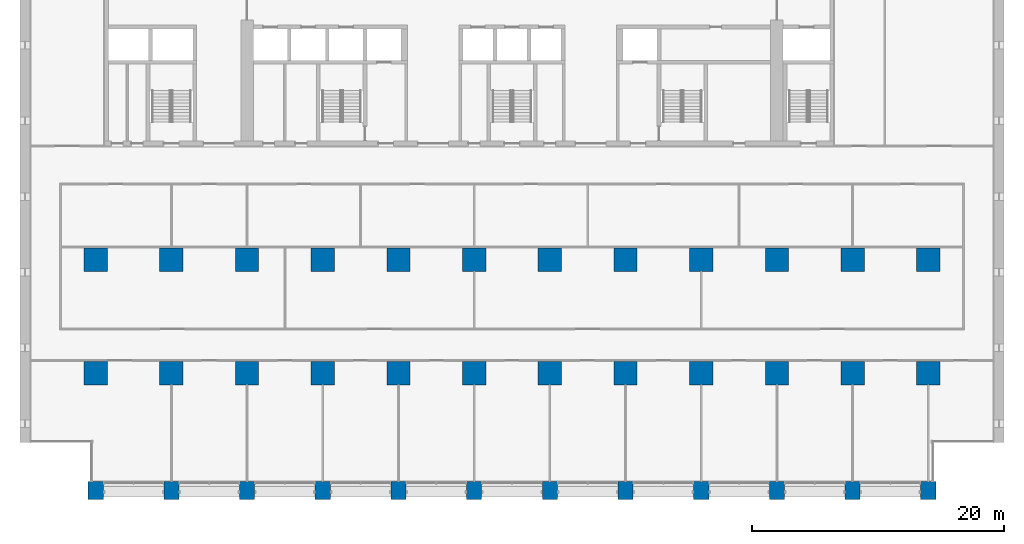
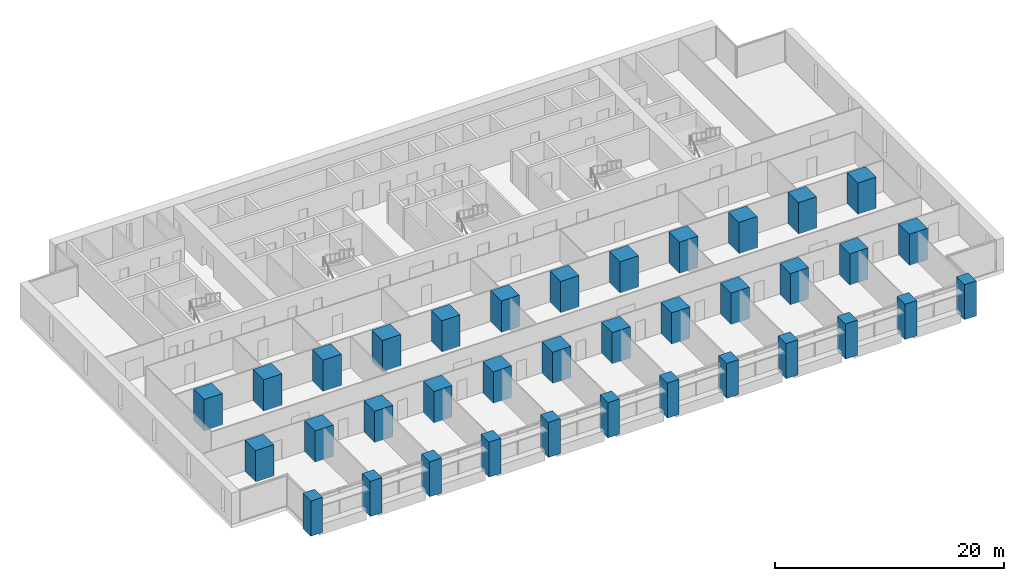
# One storey, part 1 of 18: 36 columns.
"""IFC4 building model written with IfcOpenShell, lengths in metres."""

from ifc_helpers import new_model, si_unit, direction, frame, origin, origin_2d, place, context, subcontext, project, spatial, rectangle, extrude, material, material_profile, profile_set, type_object, element, save


model = new_model("IFC4")

# Units and contexts
model_context = context("Model", 3, precision=1e-05, world=origin(), true_north=direction((0.0, 1.0)))
body_context = subcontext(model_context, "Body", "Model", "MODEL_VIEW")
ifc_project = project(units=[si_unit("LENGTHUNIT", "METRE"), si_unit("AREAUNIT", "SQUARE_METRE"), si_unit("VOLUMEUNIT", "CUBIC_METRE"), si_unit("PLANEANGLEUNIT", "RADIAN"), si_unit("MASSUNIT", "GRAM", prefix="KILO")], contexts=[model_context])

# Site, building, storey
site_placement = place(None, origin())
site = spatial("IfcSite", under=ifc_project, at=site_placement, CompositionType="ELEMENT")
building_placement = place(site_placement, origin())
building = spatial("IfcBuilding", under=site, at=building_placement, Name="Calvaro Tower", CompositionType="ELEMENT")
storey_placement = place(building_placement, frame((0.0, 0.0, 26.25)))
storey = spatial("IfcBuildingStorey", under=building, at=storey_placement, Name="L05", CompositionType="ELEMENT", Elevation=26.25)

# Columns
ifc_material_1 = material(Name="Concrete C80/95", Category="concrete")
ifc_material_profile_1 = material_profile(ifc_material_1, rectangle(XDim=1.85009765625, YDim=1.85009765625, at=origin_2d()), Name="RC 1850x1850")
ifc_profile_set_1 = profile_set([ifc_material_profile_1], Name="Concrete C80/95")
column_type_1 = type_object("IfcColumnType", Name="Column 1850x1850 C80/95", PredefinedType="COLUMN", material=ifc_profile_set_1)
for number, where, z_axis, x_axis, name in (
    (1, (6.0, 10.0, 0.0), (0.0, 0.0, 1.0), (1.0, 0.0, 0.0), "Column 2B"),
    (2, (6.0, 19.0, 0.0), (0.0, 0.0, 1.0), (1.0, 0.0, 0.0), "Column 2C"),
    (3, (12.0, 10.0, 0.0), (0.0, 0.0, 1.0), (1.0, 0.0, 0.0), "Column 3B"),
    (4, (12.0, 19.0, 0.0), (0.0, 0.0, 1.0), (1.0, 0.0, 0.0), "Column 3C"),
    (5, (18.0, 10.0, 0.0), (0.0, 0.0, 1.0), (1.0, 0.0, 0.0), "Column 4B"),
    (6, (18.0, 19.0, 0.0), (0.0, 0.0, 1.0), (1.0, 0.0, 0.0), "Column 4C"),
    (7, (24.0, 10.0, 0.0), (0.0, 0.0, 1.0), (1.0, 0.0, 0.0), "Column 5B"),
    (8, (24.0, 19.0, 0.0), (0.0, 0.0, 1.0), (1.0, 0.0, 0.0), "Column 5C"),
    (9, (30.0, 10.0, 0.0), (0.0, 0.0, 1.0), (1.0, 0.0, 0.0), "Column 6B"),
    (10, (30.0, 19.0, 0.0), (0.0, 0.0, 1.0), (1.0, 0.0, 0.0), "Column 6C"),
    (11, (36.0, 10.0, 0.0), (0.0, 0.0, 1.0), (1.0, 0.0, 0.0), "Column 7B"),
    (12, (36.0, 19.0, 0.0), (0.0, 0.0, 1.0), (1.0, 0.0, 0.0), "Column 7C"),
    (13, (42.0, 10.0, 0.0), (0.0, 0.0, 1.0), (1.0, 0.0, 0.0), "Column 8B"),
    (14, (42.0, 19.0, 0.0), (0.0, 0.0, 1.0), (1.0, 0.0, 0.0), "Column 8C"),
    (15, (48.0, 10.0, 0.0), (0.0, 0.0, 1.0), (1.0, 0.0, 0.0), "Column 9B"),
    (16, (48.0, 19.0, 0.0), (0.0, 0.0, 1.0), (1.0, 0.0, 0.0), "Column 9C"),
    (17, (54.0, 10.0, 0.0), (0.0, 0.0, 1.0), (1.0, 0.0, 0.0), "Column 10B"),
    (18, (54.0, 19.0, 0.0), (0.0, 0.0, 1.0), (1.0, 0.0, 0.0), "Column 10C"),
    (19, (60.0, 10.0, 0.0), (0.0, 0.0, 1.0), (1.0, 0.0, 0.0), "Column 11B"),
    (20, (60.0, 19.0, 0.0), (0.0, 0.0, 1.0), (1.0, 0.0, 0.0), "Column 11C"),
    (21, (66.0, 10.0, 0.0), (0.0, 0.0, 1.0), (1.0, 0.0, 0.0), "Column 12B"),
    (22, (66.0, 19.0, 0.0), (0.0, 0.0, 1.0), (1.0, 0.0, 0.0), "Column 12C"),
    (23, (72.0, 10.0, 0.0), (0.0, 0.0, 1.0), (1.0, 0.0, 0.0), "Column 13B"),
    (24, (72.0, 19.0, 0.0), (0.0, 0.0, 1.0), (1.0, 0.0, 0.0), "Column 13C"),
):
    element("IfcColumn", number, at=place(storey_placement, frame(where, z_axis=z_axis, x_axis=x_axis)), inside=storey, type_object=column_type_1, Name=name, PredefinedType="COLUMN", context=body_context, shape_type="SweptSolid", body=[
        extrude(rectangle(XDim=1.85009765625, YDim=1.85009765625, at=origin_2d()), origin(), (0.0, 0.0, 1.0), 3.35009765625),
    ])
ifc_material_2 = material(Name="Concrete C80/95", Category="concrete")
ifc_material_profile_2 = material_profile(ifc_material_2, rectangle(XDim=1.199951171875, YDim=1.39990234375, at=origin_2d()), Name="RC 1200x1400")
ifc_profile_set_2 = profile_set([ifc_material_profile_2], Name="Concrete C80/95")
column_type_2 = type_object("IfcColumnType", Name="Pier 1200x1400 C80/95", PredefinedType="COLUMN", material=ifc_profile_set_2)
for number, where, z_axis, x_axis, name in (
    (25, (6.0, 0.699951171875, -0.39990234375), (0.0, 0.0, 1.0), (1.0, 0.0, 0.0), "South pier 2"),
    (26, (12.0, 0.699951171875, -0.39990234375), (0.0, 0.0, 1.0), (1.0, 0.0, 0.0), "South pier 3"),
    (27, (18.0, 0.699951171875, -0.39990234375), (0.0, 0.0, 1.0), (1.0, 0.0, 0.0), "South pier 4"),
    (28, (24.0, 0.699951171875, -0.39990234375), (0.0, 0.0, 1.0), (1.0, 0.0, 0.0), "South pier 5"),
    (29, (30.0, 0.699951171875, -0.39990234375), (0.0, 0.0, 1.0), (1.0, 0.0, 0.0), "South pier 6"),
    (30, (36.0, 0.699951171875, -0.39990234375), (0.0, 0.0, 1.0), (1.0, 0.0, 0.0), "South pier 7"),
    (31, (42.0, 0.699951171875, -0.39990234375), (0.0, 0.0, 1.0), (1.0, 0.0, 0.0), "South pier 8"),
    (32, (48.0, 0.699951171875, -0.39990234375), (0.0, 0.0, 1.0), (1.0, 0.0, 0.0), "South pier 9"),
    (33, (54.0, 0.699951171875, -0.39990234375), (0.0, 0.0, 1.0), (1.0, 0.0, 0.0), "South pier 10"),
    (34, (60.0, 0.699951171875, -0.39990234375), (0.0, 0.0, 1.0), (1.0, 0.0, 0.0), "South pier 11"),
    (35, (66.0, 0.699951171875, -0.39990234375), (0.0, 0.0, 1.0), (1.0, 0.0, 0.0), "South pier 12"),
    (36, (72.0, 0.699951171875, -0.39990234375), (0.0, 0.0, 1.0), (1.0, 0.0, 0.0), "South pier 13"),
):
    element("IfcColumn", number, at=place(storey_placement, frame(where, z_axis=z_axis, x_axis=x_axis)), inside=storey, type_object=column_type_2, Name=name, PredefinedType="COLUMN", context=body_context, shape_type="SweptSolid", body=[
        extrude(rectangle(XDim=1.199951171875, YDim=1.39990234375, at=origin_2d()), origin(), (0.0, 0.0, 1.0), 3.75),
    ])

save(model, "model.ifc")
